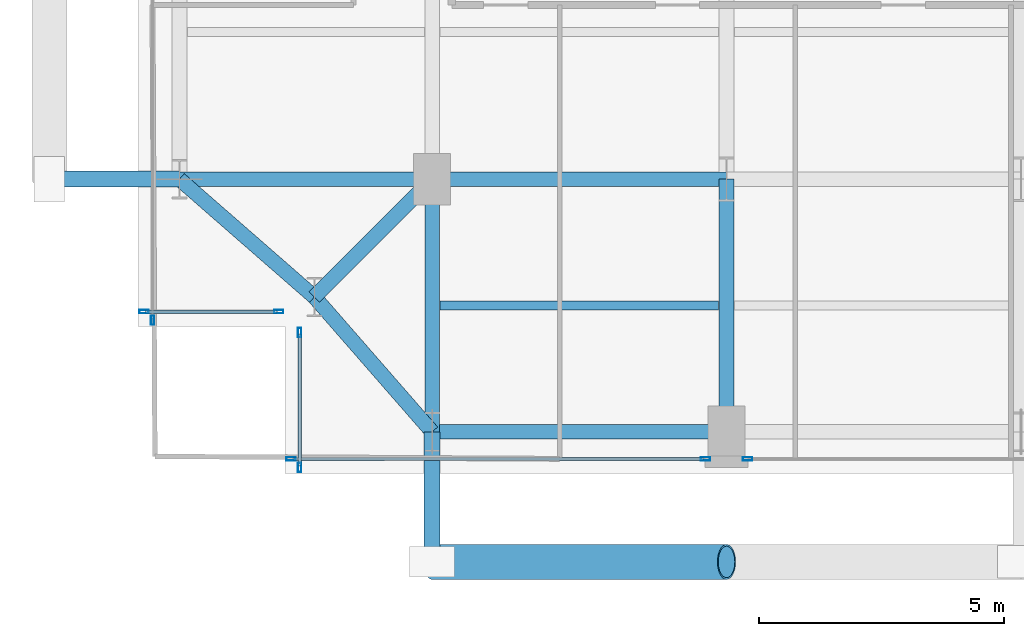
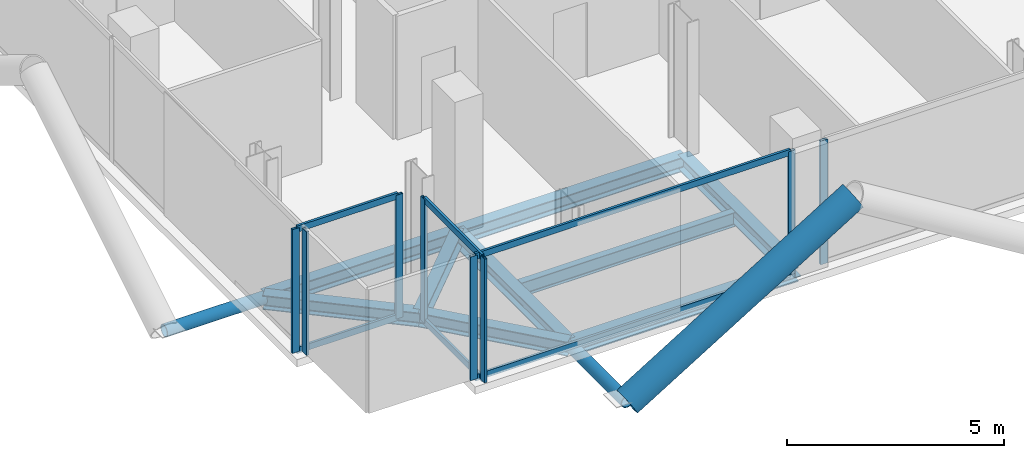
# One storey, part 2 of 26: 17 members, 9 beams, 5 elements without a shape of their own.
"""IFC4 building model written with IfcOpenShell, lengths in metres."""

from ifc_helpers import new_model, si_unit, direction, frame, origin, origin_2d, place, context, subcontext, project, spatial, hollow_rectangle, hollow_circle, i_section, extrude, material, layer, layer_set, material_profile, profile_set, type_object, element, aggregate, save


model = new_model("IFC4")

# Units and contexts
model_context = context("Model", 3, precision=1e-05, world=origin(), true_north=direction((0.0, 1.0)))
body_context = subcontext(model_context, "Body", "Model", "MODEL_VIEW")
ifc_project = project(units=[si_unit("LENGTHUNIT", "METRE"), si_unit("AREAUNIT", "SQUARE_METRE"), si_unit("VOLUMEUNIT", "CUBIC_METRE"), si_unit("PLANEANGLEUNIT", "RADIAN"), si_unit("MASSUNIT", "GRAM", prefix="KILO"), si_unit("THERMODYNAMICTEMPERATUREUNIT", "KELVIN"), si_unit("POWERUNIT", "WATT")], contexts=[model_context])

# Site, building, storey
site_placement = place(None, origin())
site = spatial("IfcSite", under=ifc_project, at=site_placement, CompositionType="ELEMENT")
building_placement = place(site_placement, origin())
building = spatial("IfcBuilding", under=site, at=building_placement, Name="Svarakhadi Broadcast Tower", CompositionType="ELEMENT")
storey_placement = place(building_placement, frame((0.0, 0.0, 195.449951171875)))
storey = spatial("IfcBuildingStorey", under=building, at=storey_placement, Name="L48", CompositionType="ELEMENT", Elevation=195.449951171875)

# Beam
ifc_material_1 = material(Name="Steel S355J2 (IS 2062 E350C)", Category="steel")
ifc_material_profile_1 = material_profile(ifc_material_1, i_section(OverallWidth=0.179931640625, OverallDepth=0.39990234375, WebThickness=0.008544921875, FlangeThickness=0.013427734375, FilletRadius=0.02099609375, at=origin_2d()), Name="NPB 400x180x66")
ifc_profile_set_1 = profile_set([ifc_material_profile_1], Name="Steel S355J2 (IS 2062 E350C)")
beam_type_1 = type_object("IfcBeamType", Name="Beam_NPB400", PredefinedType="BEAM", material=ifc_profile_set_1)
beam_1_placement = place(storey_placement, frame((6.159912109375, 3.425048828125, -0.409912109375), z_axis=(1.0, 0.0, 0.0), x_axis=(0.0, 1.0, 0.0)))
element("IfcBeam", 1, at=beam_1_placement, inside=storey, type_object=beam_type_1, Name="L48 Secondary Composite Beam SB005", PredefinedType="BEAM", context=body_context, shape_type="SweptSolid", body=[
    extrude(i_section(OverallWidth=0.179931640625, OverallDepth=0.39990234375, WebThickness=0.008544921875, FlangeThickness=0.013427734375, FilletRadius=0.02099609375, at=origin_2d()), origin(), (0.0, 0.0, 1.0), 5.68017578125),
])

# Curtain wall, members
ifc_material_2 = material(Name="Anodised Bronze Aluminium AA 6063-T6", Category="aluminium")
ifc_layer = layer(ifc_material_2, 0.18994140625)
ifc_layer_set = layer_set([ifc_layer], Name="Anodised Bronze Aluminium AA 6063-T6")
curtain_wall_type = type_object("IfcCurtainWallType", Name="CW_Sys_04", PredefinedType="NOTDEFINED", material=ifc_layer_set)
curtain_wall_1_placement = place(storey_placement, origin())
curtain_wall_1 = element("IfcCurtainWall", 2, at=curtain_wall_1_placement, inside=storey, type_object=curtain_wall_type, Name="L48 Unitised Facade Curtain Wall 01", PredefinedType="NOTDEFINED")
ifc_material_profile_2 = material_profile(ifc_material_2, hollow_rectangle(XDim=0.070068359375, YDim=0.18994140625, WallThickness=0.005615234375, at=origin_2d()), Name="ALU MULLION 190x70x6")
ifc_profile_set_2 = profile_set([ifc_material_profile_2], Name="Anodised Bronze Aluminium AA 6063-T6")
member_type_1 = type_object("IfcMemberType", Name="CW_Sys_04_Mul", PredefinedType="MULLION", material=ifc_profile_set_2)
member_1_placement = place(storey_placement, frame((2.875, 3.300048828125, 0.0), z_axis=(0.0, 0.0, 1.0), x_axis=(0.0, -1.0, 0.0)))
member_1 = element("IfcMember", 3, at=member_1_placement, type_object=member_type_1, Name="CW-04 mullion 1", PredefinedType="MULLION", context=body_context, shape_type="SweptSolid", body=[
    extrude(hollow_rectangle(XDim=0.070068359375, YDim=0.18994140625, WallThickness=0.005615234375, at=origin_2d()), origin(), (0.0, 0.0, 1.0), 3.47509765625),
])
member_2_placement = place(storey_placement, frame((0.125, 3.300048828125, 0.0), z_axis=(0.0, 0.0, 1.0), x_axis=(0.0, -1.0, 0.0)))
member_2 = element("IfcMember", 4, at=member_2_placement, type_object=member_type_1, Name="CW-04 mullion 2", PredefinedType="MULLION", context=body_context, shape_type="SweptSolid", body=[
    extrude(hollow_rectangle(XDim=0.070068359375, YDim=0.18994140625, WallThickness=0.005615234375, at=origin_2d()), origin(), (0.0, 0.0, 1.0), 3.47509765625),
])

# Curtain wall, member
curtain_wall_2_placement = place(storey_placement, origin())
curtain_wall_2 = element("IfcCurtainWall", 5, at=curtain_wall_2_placement, inside=storey, type_object=curtain_wall_type, Name="L48 West Curtain Wall 02", PredefinedType="NOTDEFINED")
member_3_placement = place(storey_placement, frame((0.300048828125, 3.125, 0.0), z_axis=(0.0, 0.0, 1.0), x_axis=(-1.0, 0.0, 0.0)))
member_3 = element("IfcMember", 6, at=member_3_placement, type_object=member_type_1, Name="CW-04 mullion 1", PredefinedType="MULLION", context=body_context, shape_type="SweptSolid", body=[
    extrude(hollow_rectangle(XDim=0.070068359375, YDim=0.18994140625, WallThickness=0.005615234375, at=origin_2d()), origin(), (0.0, 0.0, 1.0), 3.47509765625),
])
aggregate(curtain_wall_2, [member_3])

curtain_wall_3_placement = place(storey_placement, origin())
curtain_wall_3 = element("IfcCurtainWall", 7, at=curtain_wall_3_placement, inside=storey, type_object=curtain_wall_type, Name="L48 South Curtain Wall 16 Bay 2", PredefinedType="NOTDEFINED")
member_4_placement = place(storey_placement, frame((12.429931640625, 0.300048828125, 0.0), z_axis=(0.0, 0.0, 1.0), x_axis=(0.0, -1.0, 0.0)))
member_4 = element("IfcMember", 8, at=member_4_placement, type_object=member_type_1, Name="CW-04 mullion 2", PredefinedType="MULLION", context=body_context, shape_type="SweptSolid", body=[
    extrude(hollow_rectangle(XDim=0.070068359375, YDim=0.18994140625, WallThickness=0.005615234375, at=origin_2d()), origin(), (0.0, 0.0, 1.0), 3.47509765625),
])
aggregate(curtain_wall_3, [member_4])

# Curtain wall, members
curtain_wall_4_placement = place(storey_placement, origin())
curtain_wall_4 = element("IfcCurtainWall", 9, at=curtain_wall_4_placement, inside=storey, type_object=curtain_wall_type, Name="L48 South Curtain Wall 16 Bay 3", PredefinedType="NOTDEFINED")
member_5_placement = place(storey_placement, frame((11.570068359375, 0.300048828125, 0.0), z_axis=(0.0, 0.0, 1.0), x_axis=(0.0, -1.0, 0.0)))
member_5 = element("IfcMember", 10, at=member_5_placement, type_object=member_type_1, Name="CW-04 mullion 1", PredefinedType="MULLION", context=body_context, shape_type="SweptSolid", body=[
    extrude(hollow_rectangle(XDim=0.070068359375, YDim=0.18994140625, WallThickness=0.005615234375, at=origin_2d()), origin(), (0.0, 0.0, 1.0), 3.47509765625),
])
member_6_placement = place(storey_placement, frame((3.125, 0.300048828125, 0.0), z_axis=(0.0, 0.0, 1.0), x_axis=(0.0, -1.0, 0.0)))
member_6 = element("IfcMember", 11, at=member_6_placement, type_object=member_type_1, Name="CW-04 mullion 2", PredefinedType="MULLION", context=body_context, shape_type="SweptSolid", body=[
    extrude(hollow_rectangle(XDim=0.070068359375, YDim=0.18994140625, WallThickness=0.005615234375, at=origin_2d()), origin(), (0.0, 0.0, 1.0), 3.47509765625),
])

curtain_wall_5_placement = place(storey_placement, origin())
curtain_wall_5 = element("IfcCurtainWall", 12, at=curtain_wall_5_placement, inside=storey, type_object=curtain_wall_type, Name="L48 Unitised Facade Curtain Wall 17", PredefinedType="NOTDEFINED")
member_7_placement = place(storey_placement, frame((3.300048828125, 0.125, 0.0), z_axis=(0.0, 0.0, 1.0), x_axis=(-1.0, 0.0, 0.0)))
member_7 = element("IfcMember", 13, at=member_7_placement, type_object=member_type_1, Name="CW-04 mullion 1", PredefinedType="MULLION", context=body_context, shape_type="SweptSolid", body=[
    extrude(hollow_rectangle(XDim=0.070068359375, YDim=0.18994140625, WallThickness=0.005615234375, at=origin_2d()), origin(), (0.0, 0.0, 1.0), 3.47509765625),
])
member_8_placement = place(storey_placement, frame((3.300048828125, 2.875, 0.0), z_axis=(0.0, 0.0, 1.0), x_axis=(-1.0, 0.0, 0.0)))
member_8 = element("IfcMember", 14, at=member_8_placement, type_object=member_type_1, Name="CW-04 mullion 2", PredefinedType="MULLION", context=body_context, shape_type="SweptSolid", body=[
    extrude(hollow_rectangle(XDim=0.070068359375, YDim=0.18994140625, WallThickness=0.005615234375, at=origin_2d()), origin(), (0.0, 0.0, 1.0), 3.47509765625),
])

# Member
ifc_material_profile_3 = material_profile(ifc_material_2, hollow_rectangle(XDim=0.06494140625, YDim=0.175048828125, WallThickness=0.0048828125, at=origin_2d()), Name="ALU TRANSOM 175x65x5")
ifc_profile_set_3 = profile_set([ifc_material_profile_3], Name="Anodised Bronze Aluminium AA 6063-T6")
member_type_2 = type_object("IfcMemberType", Name="CW_Sys_04_Trn", PredefinedType="USERDEFINED", material=ifc_profile_set_3)
member_9_placement = place(storey_placement, frame((2.840087890625, 3.300048828125, 0.032470703125), z_axis=(-1.0, 0.0, 0.0), x_axis=(0.0, -1.0, 0.0)))
member_9 = element("IfcMember", 15, at=member_9_placement, type_object=member_type_2, Name="CW-04 transom 1.1", ObjectType="TRANSOM", PredefinedType="USERDEFINED", context=body_context, shape_type="SweptSolid", body=[
    extrude(hollow_rectangle(XDim=0.06494140625, YDim=0.175048828125, WallThickness=0.0048828125, at=origin_2d()), origin(), (0.0, 0.0, 1.0), 2.68017578125),
])

member_10_placement = place(storey_placement, frame((2.840087890625, 3.300048828125, 3.442626953125), z_axis=(-1.0, 0.0, 0.0), x_axis=(0.0, -1.0, 0.0)))
member_10 = element("IfcMember", 16, at=member_10_placement, type_object=member_type_2, Name="CW-04 transom 1.2", ObjectType="TRANSOM", PredefinedType="USERDEFINED", context=body_context, shape_type="SweptSolid", body=[
    extrude(hollow_rectangle(XDim=0.06494140625, YDim=0.175048828125, WallThickness=0.0048828125, at=origin_2d()), origin(), (0.0, 0.0, 1.0), 2.68017578125),
])

aggregate(curtain_wall_1, [member_1, member_2, member_9, member_10])

member_11_placement = place(storey_placement, frame((11.534912109375, 0.300048828125, 0.032470703125), z_axis=(-1.0, 0.0, 0.0), x_axis=(0.0, -1.0, 0.0)))
member_11 = element("IfcMember", 17, at=member_11_placement, type_object=member_type_2, Name="CW-04 transom 1.1", ObjectType="TRANSOM", PredefinedType="USERDEFINED", context=body_context, shape_type="SweptSolid", body=[
    extrude(hollow_rectangle(XDim=0.06494140625, YDim=0.175048828125, WallThickness=0.0048828125, at=origin_2d()), origin(), (0.0, 0.0, 1.0), 8.375),
])

member_12_placement = place(storey_placement, frame((11.534912109375, 0.300048828125, 3.442626953125), z_axis=(-1.0, 0.0, 0.0), x_axis=(0.0, -1.0, 0.0)))
member_12 = element("IfcMember", 18, at=member_12_placement, type_object=member_type_2, Name="CW-04 transom 1.2", ObjectType="TRANSOM", PredefinedType="USERDEFINED", context=body_context, shape_type="SweptSolid", body=[
    extrude(hollow_rectangle(XDim=0.06494140625, YDim=0.175048828125, WallThickness=0.0048828125, at=origin_2d()), origin(), (0.0, 0.0, 1.0), 8.375),
])

aggregate(curtain_wall_4, [member_5, member_6, member_11, member_12])

member_13_placement = place(storey_placement, frame((3.300048828125, 0.159912109375, 0.032470703125), z_axis=(0.0, 1.0, 0.0), x_axis=(-1.0, 0.0, 0.0)))
member_13 = element("IfcMember", 19, at=member_13_placement, type_object=member_type_2, Name="CW-04 transom 1.1", ObjectType="TRANSOM", PredefinedType="USERDEFINED", context=body_context, shape_type="SweptSolid", body=[
    extrude(hollow_rectangle(XDim=0.06494140625, YDim=0.175048828125, WallThickness=0.0048828125, at=origin_2d()), origin(), (0.0, 0.0, 1.0), 2.68017578125),
])

member_14_placement = place(storey_placement, frame((3.300048828125, 0.159912109375, 3.442626953125), z_axis=(0.0, 1.0, 0.0), x_axis=(-1.0, 0.0, 0.0)))
member_14 = element("IfcMember", 20, at=member_14_placement, type_object=member_type_2, Name="CW-04 transom 1.2", ObjectType="TRANSOM", PredefinedType="USERDEFINED", context=body_context, shape_type="SweptSolid", body=[
    extrude(hollow_rectangle(XDim=0.06494140625, YDim=0.175048828125, WallThickness=0.0048828125, at=origin_2d()), origin(), (0.0, 0.0, 1.0), 2.68017578125),
])

aggregate(curtain_wall_5, [member_7, member_8, member_13, member_14])

# Members
ifc_material_3 = material(Name="Steel S460ML (IS 2062 E450BR)", Category="steel")
ifc_material_profile_4 = material_profile(ifc_material_3, hollow_circle(Radius=0.35546875, WallThickness=0.034912109375, at=origin_2d()), Name="CHS 711x35")
ifc_profile_set_4 = profile_set([ifc_material_profile_4], Name="Steel S460ML (IS 2062 E450BR)")
member_type_3 = type_object("IfcMemberType", Name="Exo_Brace_CHS711", PredefinedType="BRACE", material=ifc_profile_set_4)
member_15_placement = place(storey_placement, frame((6.0, -1.800048828125, -0.371826171875), z_axis=(0.852132977326, 0.0, 0.523325318472), x_axis=(0.0, 1.0, 0.0)))
element("IfcMember", 21, at=member_15_placement, inside=storey, type_object=member_type_3, Name="L48 Exposed Bronze Exoskeleton Diagonal S01", PredefinedType="BRACE", context=body_context, shape_type="SweptSolid", body=[
    extrude(hollow_circle(Radius=0.35546875, WallThickness=0.034912109375, at=origin_2d()), origin(), (0.0, 0.0, 1.0), 7.041259765625),
])
ifc_material_profile_5 = material_profile(ifc_material_3, hollow_circle(Radius=0.161865234375, WallThickness=0.01611328125, at=origin_2d()), Name="CHS 323.9x16")
ifc_profile_set_5 = profile_set([ifc_material_profile_5], Name="Steel S460ML (IS 2062 E450BR)")
member_type_4 = type_object("IfcMemberType", Name="Exo_Radial_Strut_Z2", PredefinedType="STRUT", material=ifc_profile_set_5)
for number, where, z_axis, x_axis, name in (
    (22, (6.0, -1.800048828125, -0.371826171875), (0.0, 1.0, 0.0), (-1.0, 0.0, 0.0), "L48 Exoskeleton Radial Tie Strut S01"),
    (23, (-1.800048828125, 6.0, -0.371826171875), (1.0, 0.0, 0.0), (0.0, 1.0, 0.0), "L48 Exoskeleton Radial Tie Strut W04"),
):
    element("IfcMember", number, at=place(storey_placement, frame(where, z_axis=z_axis, x_axis=x_axis)), inside=storey, type_object=member_type_4, Name=name, PredefinedType="STRUT", context=body_context, shape_type="SweptSolid", body=[
        extrude(hollow_circle(Radius=0.161865234375, WallThickness=0.01611328125, at=origin_2d()), origin(), (0.0, 0.0, 1.0), 2.650146484375),
    ])

# Beams
ifc_material_profile_6 = material_profile(ifc_material_1, i_section(OverallWidth=0.300048828125, OverallDepth=0.39990234375, WebThickness=0.013427734375, FlangeThickness=0.02392578125, FilletRadius=0.027099609375, at=origin_2d()), Name="WPB 400x300x155")
ifc_profile_set_6 = profile_set([ifc_material_profile_6], Name="Steel S355J2 (IS 2062 E350C)")
beam_type_2 = type_object("IfcBeamType", Name="Girder_WPB400", PredefinedType="USERDEFINED", material=ifc_profile_set_6)
beam_2_placement = place(storey_placement, frame((3.60009765625, 3.60009765625, -0.409912109375), z_axis=(0.707106781187, 0.707106781187, 0.0), x_axis=(-0.707106781187, 0.707106781187, 0.0)))
element("IfcBeam", 24, at=beam_2_placement, inside=storey, type_object=beam_type_2, Name="L48 Corner Tie Girder G001", ObjectType="GIRDER", PredefinedType="USERDEFINED", context=body_context, shape_type="SweptSolid", body=[
    extrude(i_section(OverallWidth=0.300048828125, OverallDepth=0.39990234375, WebThickness=0.013427734375, FlangeThickness=0.02392578125, FilletRadius=0.027099609375, at=origin_2d()), origin(), (0.0, 0.0, 1.0), 3.39404296875),
])
for number, where, z_axis, x_axis, name in (
    (25, (3.60009765625, 3.60009765625, -0.409912109375), (-0.753437912176, 0.657519058655, 0.0), (-0.657519058655, -0.753437912176, 0.0), "L48 Corner Tie Girder G002"),
    (26, (3.60009765625, 3.60009765625, -0.409912109375), (0.657519058655, -0.753437912176, 0.0), (0.753437912176, 0.657519058655, 0.0), "L48 Corner Tie Girder G003"),
):
    element("IfcBeam", number, at=place(storey_placement, frame(where, z_axis=z_axis, x_axis=x_axis)), inside=storey, type_object=beam_type_2, Name=name, ObjectType="GIRDER", PredefinedType="USERDEFINED", context=body_context, shape_type="SweptSolid", body=[
        extrude(i_section(OverallWidth=0.300048828125, OverallDepth=0.39990234375, WebThickness=0.013427734375, FlangeThickness=0.02392578125, FilletRadius=0.027099609375, at=origin_2d()), origin(), (0.0, 0.0, 1.0), 3.64990234375),
    ])
beam_3_placement = place(storey_placement, frame((6.0, 0.85009765625, -0.409912109375), z_axis=(1.0, 0.0, 0.0), x_axis=(0.0, 1.0, 0.0)))
element("IfcBeam", 27, at=beam_3_placement, inside=storey, type_object=beam_type_2, Name="L48 Primary E-W Girder G004", ObjectType="GIRDER", PredefinedType="USERDEFINED", context=body_context, shape_type="SweptSolid", body=[
    extrude(i_section(OverallWidth=0.300048828125, OverallDepth=0.39990234375, WebThickness=0.013427734375, FlangeThickness=0.02392578125, FilletRadius=0.027099609375, at=origin_2d()), origin(), (0.0, 0.0, 1.0), 6.0),
])
beam_4_placement = place(storey_placement, frame((0.85009765625, 6.0, -0.409912109375), z_axis=(1.0, 0.0, 0.0), x_axis=(0.0, 1.0, 0.0)))
element("IfcBeam", 28, at=beam_4_placement, inside=storey, type_object=beam_type_2, Name="L48 Primary E-W Girder G009", ObjectType="GIRDER", PredefinedType="USERDEFINED", context=body_context, shape_type="SweptSolid", body=[
    extrude(i_section(OverallWidth=0.300048828125, OverallDepth=0.39990234375, WebThickness=0.013427734375, FlangeThickness=0.02392578125, FilletRadius=0.027099609375, at=origin_2d()), origin(), (0.0, 0.0, 1.0), 5.14990234375),
])
beam_5_placement = place(storey_placement, frame((6.0, 6.0, -0.409912109375), z_axis=(1.0, 0.0, 0.0), x_axis=(0.0, 1.0, 0.0)))
element("IfcBeam", 29, at=beam_5_placement, inside=storey, type_object=beam_type_2, Name="L48 Primary E-W Girder G010", ObjectType="GIRDER", PredefinedType="USERDEFINED", context=body_context, shape_type="SweptSolid", body=[
    extrude(i_section(OverallWidth=0.300048828125, OverallDepth=0.39990234375, WebThickness=0.013427734375, FlangeThickness=0.02392578125, FilletRadius=0.027099609375, at=origin_2d()), origin(), (0.0, 0.0, 1.0), 6.0),
])
for number, where, z_axis, x_axis, name in (
    (30, (6.0, 0.85009765625, -0.409912109375), (0.0, 1.0, 0.0), (-1.0, 0.0, 0.0), "L48 Primary N-S Girder G037"),
    (31, (12.0, 0.85009765625, -0.409912109375), (0.0, 1.0, 0.0), (-1.0, 0.0, 0.0), "L48 Primary N-S Girder G042"),
):
    element("IfcBeam", number, at=place(storey_placement, frame(where, z_axis=z_axis, x_axis=x_axis)), inside=storey, type_object=beam_type_2, Name=name, ObjectType="GIRDER", PredefinedType="USERDEFINED", context=body_context, shape_type="SweptSolid", body=[
        extrude(i_section(OverallWidth=0.300048828125, OverallDepth=0.39990234375, WebThickness=0.013427734375, FlangeThickness=0.02392578125, FilletRadius=0.027099609375, at=origin_2d()), origin(), (0.0, 0.0, 1.0), 5.14990234375),
    ])

save(model, "model.ifc")
